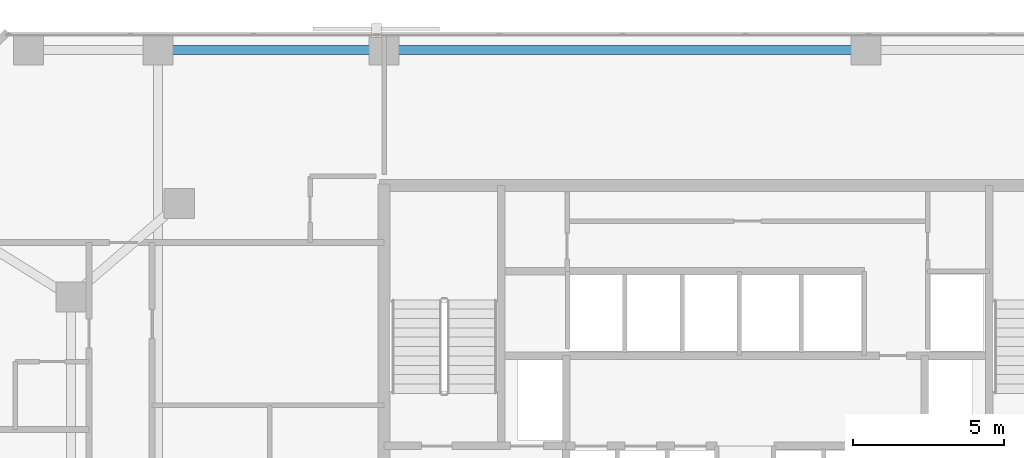
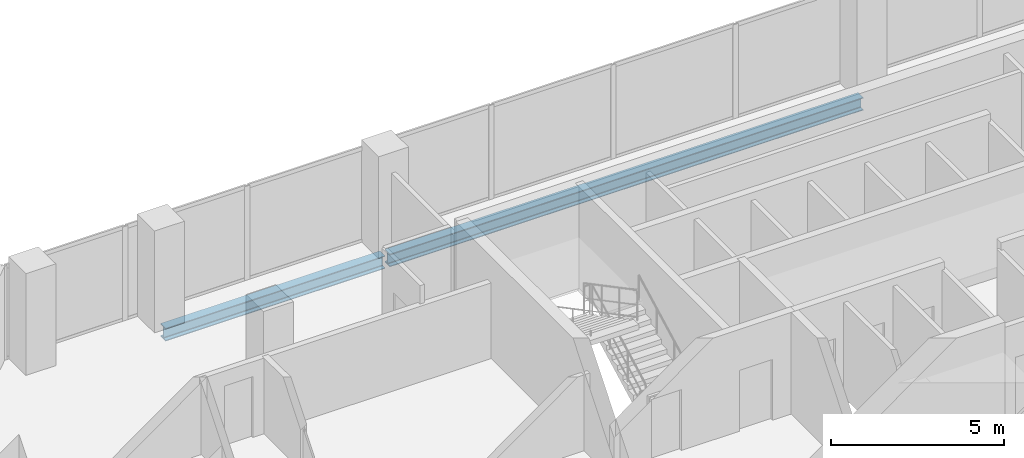
# One storey, part 19 of 32: 2 beams.
"""IFC4 building model written with IfcOpenShell, lengths in metres."""

from ifc_helpers import new_model, si_unit, direction, frame, origin, origin_2d, place, context, subcontext, project, spatial, i_section, extrude, material, material_profile, profile_set, type_object, element, save


model = new_model("IFC4")

# Units and contexts
model_context = context("Model", 3, precision=1e-05, world=origin(), true_north=direction((0.0, 1.0)))
body_context = subcontext(model_context, "Body", "Model", "MODEL_VIEW")
ifc_project = project(units=[si_unit("LENGTHUNIT", "METRE"), si_unit("AREAUNIT", "SQUARE_METRE"), si_unit("VOLUMEUNIT", "CUBIC_METRE"), si_unit("PLANEANGLEUNIT", "RADIAN"), si_unit("MASSUNIT", "GRAM", prefix="KILO")], contexts=[model_context])

# Site, building, storey
site_placement = place(None, origin())
site = spatial("IfcSite", under=ifc_project, at=site_placement, CompositionType="ELEMENT")
building_placement = place(site_placement, origin())
building = spatial("IfcBuilding", under=site, at=building_placement, Name="Catumbela Crestline Tower", CompositionType="ELEMENT")
storey_placement = place(building_placement, frame((0.0, 0.0, 33.0)))
storey = spatial("IfcBuildingStorey", under=building, at=storey_placement, Name="L07", CompositionType="ELEMENT", Elevation=33.0)

# Beams
ifc_material = material(Name="Structural steel S355J2", Category="steel")
ifc_material_profile = material_profile(ifc_material, i_section(OverallWidth=0.3, OverallDepth=0.45, WebThickness=0.014, FlangeThickness=0.026, FilletRadius=0.027, at=origin_2d()), Name="HEB 450")
ifc_profile_set = profile_set([ifc_material_profile], Name="Structural steel S355J2")
beam_type = type_object("IfcBeamType", Name="BS-HEB450", PredefinedType="SPANDREL", material=ifc_profile_set)
beam_1_placement = place(storey_placement, frame((8.58, 47.4, -0.485), z_axis=(1.0, 0.0, 0.0), x_axis=(0.0, 1.0, 0.0)))
element("IfcBeam", 1, at=beam_1_placement, inside=storey, type_object=beam_type, Name="L07 Spandrel SP-L07-NF20", PredefinedType="SPANDREL", context=body_context, shape_type="SweptSolid", body=[
    extrude(i_section(OverallWidth=0.3, OverallDepth=0.45, WebThickness=0.014, FlangeThickness=0.026, FilletRadius=0.027, at=origin_2d()), origin(), (0.0, 0.0, 1.0), 7.34),
])
beam_2_placement = place(storey_placement, frame((16.08, 47.4, -0.485), z_axis=(1.0, 0.0, 0.0), x_axis=(0.0, 1.0, 0.0)))
element("IfcBeam", 2, at=beam_2_placement, inside=storey, type_object=beam_type, Name="L07 Spandrel SP-L07-NF21", PredefinedType="SPANDREL", context=body_context, shape_type="SweptSolid", body=[
    extrude(i_section(OverallWidth=0.3, OverallDepth=0.45, WebThickness=0.014, FlangeThickness=0.026, FilletRadius=0.027, at=origin_2d()), origin(), (0.0, 0.0, 1.0), 15.84),
])

save(model, "model.ifc")
